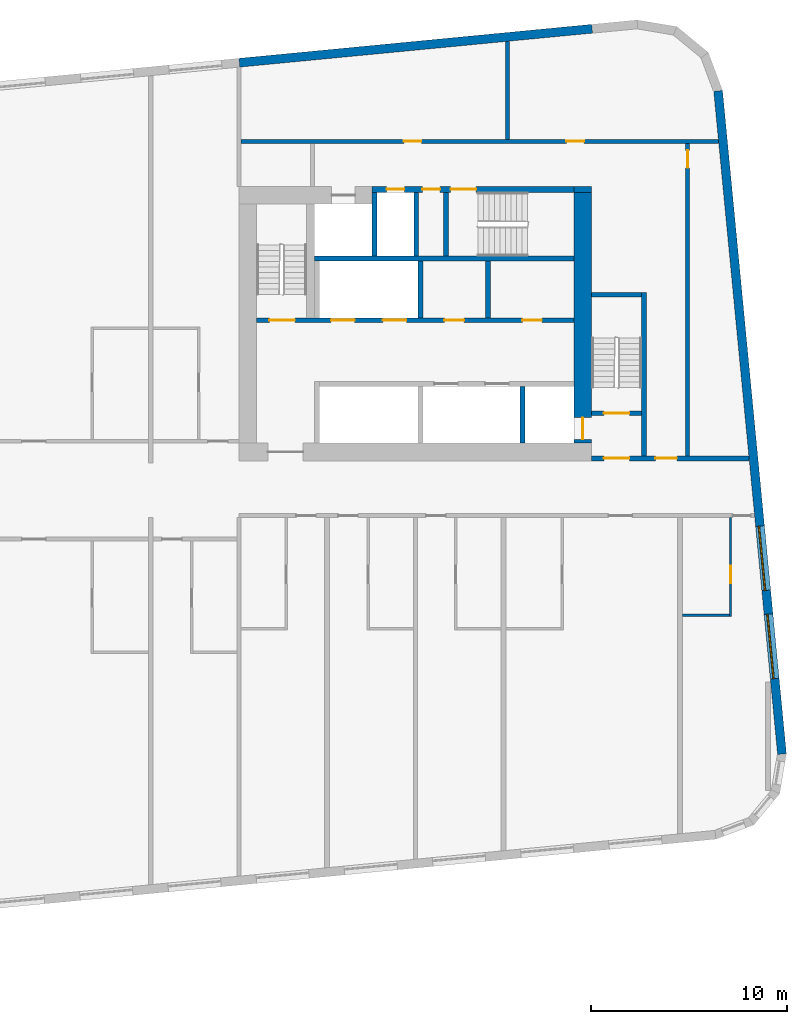
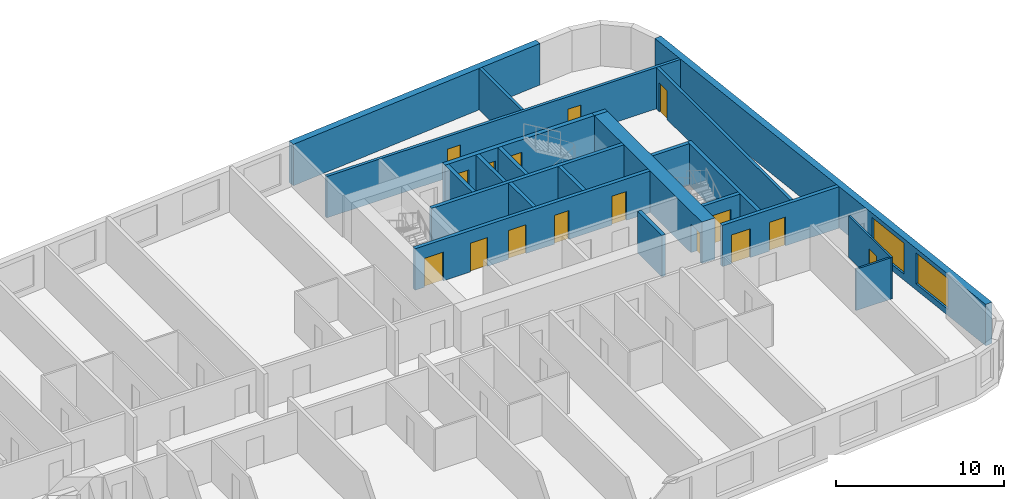
# One storey, part 7 of 12: 22 walls, 16 doors, 2 windows, 18 openings.
"""IFC4 building model written with IfcOpenShell, lengths in metres."""

from ifc_helpers import new_model, si_unit, direction, frame, frame_2d, origin, place, context, subcontext, project, spatial, rectangle, extrude, material, layer, layer_set, type_object, element, fill, save


model = new_model("IFC4")

# Units and contexts
model_context = context("Model", 3, precision=1e-05, world=origin(), true_north=direction((0.0, 1.0)))
body_context = subcontext(model_context, "Body", "Model", "MODEL_VIEW")
ifc_project = project(units=[si_unit("LENGTHUNIT", "METRE"), si_unit("AREAUNIT", "SQUARE_METRE"), si_unit("VOLUMEUNIT", "CUBIC_METRE"), si_unit("PLANEANGLEUNIT", "RADIAN"), si_unit("MASSUNIT", "GRAM", prefix="KILO")], contexts=[model_context])

# Site, building, storey
site_placement = place(None, origin())
site = spatial("IfcSite", under=ifc_project, at=site_placement, CompositionType="ELEMENT")
building_placement = place(site_placement, origin())
building = spatial("IfcBuilding", under=site, at=building_placement, Name="Kajstack Hotel Tower", CompositionType="ELEMENT")
storey_placement = place(building_placement, frame((0.0, 0.0, 170.199951171875)))
storey = spatial("IfcBuildingStorey", under=building, at=storey_placement, Name="L39", CompositionType="ELEMENT", Elevation=170.199951171875)

# Wall
ifc_material_1 = material(Name="Concrete C60/75", Category="concrete")
ifc_layer_1 = layer(ifc_material_1, 0.89990234375)
ifc_layer_set_1 = layer_set([ifc_layer_1], Name="Core wall 900")
wall_type_1 = type_object("IfcWallType", Name="Core wall 900", PredefinedType="SHEAR", material=ifc_layer_set_1)
wall_1_placement = place(storey_placement, frame((30.60009765625, 15.35009765625, 0.0), z_axis=(0.0, 0.0, 1.0), x_axis=(1.0, 0.0, 0.0)))
element("IfcWall", 1, at=wall_1_placement, inside=storey, type_object=wall_type_1, Name="Core wall E RSW", PredefinedType="SHEAR", context=body_context, shape_type="SweptSolid", body=[
    extrude(rectangle(XDim=0.89990234375, YDim=0.300048828125, at=frame_2d((0.449951171875, 0.0))), origin(), (0.0, 0.0, 1.0), 3.02001953125),
])

# Wall, opening, door
wall_2_placement = place(storey_placement, frame((31.050048828125, 2.39990234375, 0.0), z_axis=(0.0, 0.0, 1.0), x_axis=(0.0, 1.0, 0.0)))
wall_2 = element("IfcWall", 2, at=wall_2_placement, inside=storey, type_object=wall_type_1, Name="Core wall E RW", PredefinedType="SHEAR", context=body_context, shape_type="SweptSolid", body=[
    extrude(rectangle(XDim=12.800048828125, YDim=0.89990234375, at=frame_2d((6.39990234375, 0.0))), origin(), (0.0, 0.0, 1.0), 3.02001953125),
])
opening_1_placement = place(wall_2_placement, frame((0.199951171875, 0.0, 0.0)))
opening_1 = element("IfcOpeningElement", 3, at=opening_1_placement, cuts=wall_2, Name="Opening LD-FF2", PredefinedType="OPENING", context=body_context, shape_type="SweptSolid", body=[
    extrude(rectangle(XDim=1.10009765625, YDim=2.10009765625, at=frame_2d((0.550048828125, 1.050048828125))), frame((0.0, 0.4599609375, 0.0), z_axis=(0.0, -1.0, 0.0), x_axis=(1.0, 0.0, 0.0)), (0.0, 0.0, 1.0), 0.919921875),
])
ifc_material_2 = material(Name="Stainless steel", Category="steel")
door_type_1 = type_object("IfcDoorType", Name="Fire-fighting lift landing door 1100", OperationType="SLIDING_TO_LEFT", PredefinedType="DOOR", material=ifc_material_2)
door_1_placement = place(opening_1_placement, origin())
door_1 = element("IfcDoor", 4, at=door_1_placement, inside=storey, type_object=door_type_1, Name="Landing door FF2", OperationType="SLIDING_TO_LEFT", OverallHeight=2.10009765625, OverallWidth=1.10009765625, PredefinedType="DOOR", context=body_context, shape_type="SweptSolid", body=[
    extrude(rectangle(XDim=1.10009765625, YDim=2.10009765625, at=frame_2d((0.550048828125, 1.050048828125))), frame((0.0, 0.02490234375, 0.0), z_axis=(0.0, -1.0, 0.0), x_axis=(1.0, 0.0, 0.0)), (0.0, 0.0, 1.0), 0.050048828125),
])
fill(opening_1, door_1)

# Wall
ifc_material_3 = material(Name="Concrete C40/50", Category="concrete")
ifc_layer_2 = layer(ifc_material_3, 0.449951171875)
ifc_layer_set_2 = layer_set([ifc_layer_2], Name="EW-CORE")
wall_type_2 = type_object("IfcWallType", Name="EW-CORE", PredefinedType="SOLIDWALL", material=ifc_layer_set_2)
wall_3_placement = place(storey_placement, frame((31.521484375, 23.55078125, 0.0), z_axis=(0.0, 0.0, 1.0), x_axis=(-0.995395166513, -0.095856468129, 0.0)))
element("IfcWall", 5, at=wall_3_placement, inside=storey, type_object=wall_type_2, Name="E-wall-L39-12-01", PredefinedType="SOLIDWALL", context=body_context, shape_type="SweptSolid", body=[
    extrude(rectangle(XDim=18.083251953125, YDim=0.449951171875, at=frame_2d((9.04150390625, 0.0))), origin(), (0.0, 0.0, 1.0), 3.02001953125),
])

# Wall, openings, windows
ifc_material_4 = material(Name="Terracotta-faced brick masonry", Category="masonry")
ifc_layer_3 = layer(ifc_material_4, 0.449951171875)
ifc_layer_set_3 = layer_set([ifc_layer_3], Name="EW-TERRA")
wall_type_3 = type_object("IfcWallType", Name="EW-TERRA", PredefinedType="SOLIDWALL", material=ifc_layer_set_3)
wall_4_placement = place(storey_placement, frame((41.21435546875, -13.465576171875, 0.0), z_axis=(0.0, 0.0, 1.0), x_axis=(-0.095847314626, 0.995396047952, 0.0)))
wall_4 = element("IfcWall", 6, at=wall_4_placement, inside=storey, type_object=wall_type_3, Name="E-wall-L39-08-00", PredefinedType="SOLIDWALL", context=body_context, shape_type="SweptSolid", body=[
    extrude(rectangle(XDim=33.999755859375, YDim=0.449951171875, at=frame_2d((17.0, 0.0))), origin(), (0.0, 0.0, 1.0), 3.02001953125),
])
opening_2_placement = place(wall_4_placement, frame((3.869384765625, 0.0, 0.449951171875)))
opening_2 = element("IfcOpeningElement", 7, at=opening_2_placement, cuts=wall_4, Name="Opening W2", PredefinedType="OPENING", context=body_context, shape_type="SweptSolid", body=[
    extrude(rectangle(XDim=3.300048828125, YDim=2.25, at=frame_2d((1.64990234375, 1.125))), frame((0.0, 0.23486328125, 0.0), z_axis=(0.0, -1.0, 0.0), x_axis=(1.0, 0.0, 0.0)), (0.0, 0.0, 1.0), 0.469970703125),
])
opening_3_placement = place(wall_4_placement, frame((8.390380859375, 0.0, 0.449951171875)))
opening_3 = element("IfcOpeningElement", 8, at=opening_3_placement, cuts=wall_4, Name="Opening W2", PredefinedType="OPENING", context=body_context, shape_type="SweptSolid", body=[
    extrude(rectangle(XDim=3.300048828125, YDim=2.25, at=frame_2d((1.64990234375, 1.125))), frame((0.0, 0.23486328125, 0.0), z_axis=(0.0, -1.0, 0.0), x_axis=(1.0, 0.0, 0.0)), (0.0, 0.0, 1.0), 0.469970703125),
])
ifc_material_5 = material(Name="Timber-aluminium window, triple glazed", Category="wood")
window_type = type_object("IfcWindowType", Name="WG2", PartitioningType="SINGLE_PANEL", PredefinedType="WINDOW", material=ifc_material_5)
window_1_placement = place(opening_2_placement, origin())
window_1 = element("IfcWindow", 9, at=window_1_placement, inside=storey, type_object=window_type, Name="Window W2 L39-08", OverallHeight=2.25, OverallWidth=3.300048828125, PartitioningType="SINGLE_PANEL", PredefinedType="WINDOW", context=body_context, shape_type="SweptSolid", body=[
    extrude(rectangle(XDim=3.300048828125, YDim=2.25, at=frame_2d((1.64990234375, 1.125))), frame((0.0, 0.090087890625, 0.0), z_axis=(0.0, -1.0, 0.0), x_axis=(1.0, 0.0, 0.0)), (0.0, 0.0, 1.0), 0.06005859375),
])
fill(opening_2, window_1)
window_2_placement = place(opening_3_placement, origin())
window_2 = element("IfcWindow", 10, at=window_2_placement, inside=storey, type_object=window_type, Name="Window W2 L39-08", OverallHeight=2.25, OverallWidth=3.300048828125, PartitioningType="SINGLE_PANEL", PredefinedType="WINDOW", context=body_context, shape_type="SweptSolid", body=[
    extrude(rectangle(XDim=3.300048828125, YDim=2.25, at=frame_2d((1.64990234375, 1.125))), frame((0.0, 0.090087890625, 0.0), z_axis=(0.0, -1.0, 0.0), x_axis=(1.0, 0.0, 0.0)), (0.0, 0.0, 1.0), 0.06005859375),
])
fill(opening_3, window_2)

# Wall, opening, door
ifc_material_6 = material(Name="Gypsum board and tiled backer on steel studs", Category="steel")
ifc_layer_4 = layer(ifc_material_6, 0.125)
ifc_layer_set_4 = layer_set([ifc_layer_4], Name="En-suite wall 125")
wall_type_4 = type_object("IfcWallType", Name="En-suite wall 125", PredefinedType="PARTITIONING", material=ifc_layer_set_4)
wall_5_placement = place(storey_placement, frame((38.5869140625, -6.445068359375, 0.0), z_axis=(0.0, 0.0, 1.0), x_axis=(0.0, 1.0, 0.0)))
wall_5 = element("IfcWall", 11, at=wall_5_placement, inside=storey, type_object=wall_type_4, Name="G-wall-L39-051", PredefinedType="PARTITIONING", context=body_context, shape_type="SweptSolid", body=[
    extrude(rectangle(XDim=5.045166015625, YDim=0.125, at=frame_2d((2.5224609375, 0.0))), origin(), (0.0, 0.0, 1.0), 3.02001953125),
])
opening_4_placement = place(wall_5_placement, frame((1.695068359375, 0.0, 0.0)))
opening_4 = element("IfcOpeningElement", 12, at=opening_4_placement, cuts=wall_5, Name="Opening 39040", PredefinedType="OPENING", context=body_context, shape_type="SweptSolid", body=[
    extrude(rectangle(XDim=0.89990234375, YDim=2.10009765625, at=frame_2d((0.449951171875, 1.050048828125))), frame((0.0, 0.072509765625, 0.0), z_axis=(0.0, -1.0, 0.0), x_axis=(1.0, 0.0, 0.0)), (0.0, 0.0, 1.0), 0.14501953125),
])
ifc_material_7 = material(Name="Painted timber door leaf", Category="wood")
door_type_2 = type_object("IfcDoorType", Name="Room door 900", OperationType="SINGLE_SWING_LEFT", PredefinedType="DOOR", material=ifc_material_7)
door_2_placement = place(opening_4_placement, origin())
door_2 = element("IfcDoor", 13, at=door_2_placement, inside=storey, type_object=door_type_2, Name="G-door-L39-40", OperationType="SINGLE_SWING_RIGHT", OverallHeight=2.10009765625, OverallWidth=0.89990234375, PredefinedType="DOOR", context=body_context, shape_type="SweptSolid", body=[
    extrude(rectangle(XDim=0.89990234375, YDim=2.10009765625, at=frame_2d((0.449951171875, 1.050048828125))), frame((0.0, 0.02490234375, 0.0), z_axis=(0.0, -1.0, 0.0), x_axis=(1.0, 0.0, 0.0)), (0.0, 0.0, 1.0), 0.050048828125),
])
fill(opening_4, door_2)

# Walls
wall_6_placement = place(storey_placement, frame((36.125, -6.382080078125, 0.0), z_axis=(0.0, 0.0, 1.0), x_axis=(1.0, 0.0, 0.0)))
element("IfcWall", 14, at=wall_6_placement, inside=storey, type_object=wall_type_4, Name="G-wall-L39-052", PredefinedType="PARTITIONING", context=body_context, shape_type="SweptSolid", body=[
    extrude(rectangle(XDim=2.39990234375, YDim=0.125, at=frame_2d((1.199951171875, 0.0))), origin(), (0.0, 0.0, 1.0), 3.02001953125),
])
ifc_material_8 = material(Name="Concrete C50/60", Category="concrete")
ifc_layer_5 = layer(ifc_material_8, 0.300048828125)
ifc_layer_set_5 = layer_set([ifc_layer_5], Name="Hoistway divider wall 300")
wall_type_5 = type_object("IfcWallType", Name="Hoistway divider wall 300", PredefinedType="SHEAR", material=ifc_layer_set_5)
wall_7_placement = place(storey_placement, frame((22.77490234375, 8.800048828125, 0.0), z_axis=(0.0, 0.0, 1.0), x_axis=(0.0, 1.0, 0.0)))
element("IfcWall", 15, at=wall_7_placement, inside=storey, type_object=wall_type_5, Name="Core wall E BP2", PredefinedType="SHEAR", context=body_context, shape_type="SweptSolid", body=[
    extrude(rectangle(XDim=2.89990234375, YDim=0.25, at=frame_2d((1.449951171875, 0.0))), origin(), (0.0, 0.0, 1.0), 3.02001953125),
])
ifc_material_9 = material(Name="Concrete block masonry", Category="masonry")
ifc_layer_6 = layer(ifc_material_9, 0.25)
ifc_layer_set_6 = layer_set([ifc_layer_6], Name="Riser partition 250")
wall_type_6 = type_object("IfcWallType", Name="Riser partition 250", PredefinedType="PARTITIONING", material=ifc_layer_set_6)
wall_8_placement = place(storey_placement, frame((26.199951171875, 8.800048828125, 0.0), z_axis=(0.0, 0.0, 1.0), x_axis=(0.0, 1.0, 0.0)))
element("IfcWall", 16, at=wall_8_placement, inside=storey, type_object=wall_type_6, Name="Partition E BF0", PredefinedType="PARTITIONING", context=body_context, shape_type="SweptSolid", body=[
    extrude(rectangle(XDim=2.89990234375, YDim=0.25, at=frame_2d((1.449951171875, 0.0))), origin(), (0.0, 0.0, 1.0), 3.02001953125),
])
wall_9_placement = place(storey_placement, frame((22.550048828125, 11.949951171875, 0.0), z_axis=(0.0, 0.0, 1.0), x_axis=(0.0, 1.0, 0.0)))
element("IfcWall", 17, at=wall_9_placement, inside=storey, type_object=wall_type_6, Name="Partition E SZ0", PredefinedType="PARTITIONING", context=body_context, shape_type="SweptSolid", body=[
    extrude(rectangle(XDim=3.25, YDim=0.25, at=frame_2d((1.625, 0.0))), origin(), (0.0, 0.0, 1.0), 3.02001953125),
])

# Wall, openings, doors
ifc_material_10 = material(Name="Gypsum board on steel studs, mineral wool", Category="steel")
ifc_layer_7 = layer(ifc_material_10, 0.199951171875)
ifc_layer_set_7 = layer_set([ifc_layer_7], Name="Service partition 200")
wall_type_7 = type_object("IfcWallType", Name="Service partition 200", PredefinedType="PARTITIONING", material=ifc_layer_set_7)
wall_10_placement = place(storey_placement, frame((31.5, 1.625, 0.0), z_axis=(0.0, 0.0, 1.0), x_axis=(1.0, 0.0, 0.0)))
wall_10 = element("IfcWall", 18, at=wall_10_placement, inside=storey, type_object=wall_type_7, Name="Partition E SN", PredefinedType="PARTITIONING", context=body_context, shape_type="SweptSolid", body=[
    extrude(rectangle(XDim=8.035400390625, YDim=0.25, at=frame_2d((4.017578125, 0.0))), origin(), (0.0, 0.0, 1.0), 3.02001953125),
])
opening_5_placement = place(wall_10_placement, frame((0.625, 0.0, 0.0)))
opening_5 = element("IfcOpeningElement", 19, at=opening_5_placement, cuts=wall_10, Name="Opening 39E08", PredefinedType="OPENING", context=body_context, shape_type="SweptSolid", body=[
    extrude(rectangle(XDim=1.300048828125, YDim=2.10009765625, at=frame_2d((0.64990234375, 1.050048828125))), frame((0.0, 0.135009765625, 0.0), z_axis=(0.0, -1.0, 0.0), x_axis=(1.0, 0.0, 0.0)), (0.0, 0.0, 1.0), 0.27001953125),
])
opening_6_placement = place(wall_10_placement, frame((3.25, 0.0, 0.0)))
opening_6 = element("IfcOpeningElement", 20, at=opening_6_placement, cuts=wall_10, Name="Opening 39E10", PredefinedType="OPENING", context=body_context, shape_type="SweptSolid", body=[
    extrude(rectangle(XDim=1.10009765625, YDim=2.10009765625, at=frame_2d((0.550048828125, 1.050048828125))), frame((0.0, 0.135009765625, 0.0), z_axis=(0.0, -1.0, 0.0), x_axis=(1.0, 0.0, 0.0)), (0.0, 0.0, 1.0), 0.27001953125),
])
ifc_material_11 = material(Name="Steel leaf, fire-rated", Category="steel")
door_type_3 = type_object("IfcDoorType", Name="Fire lobby door 1300", OperationType="SINGLE_SWING_LEFT", PredefinedType="DOOR", material=ifc_material_11)
door_3_placement = place(opening_5_placement, origin())
door_3 = element("IfcDoor", 21, at=door_3_placement, inside=storey, type_object=door_type_3, Name="Door 39E08", OperationType="SINGLE_SWING_LEFT", OverallHeight=2.10009765625, OverallWidth=1.300048828125, PredefinedType="DOOR", context=body_context, shape_type="SweptSolid", body=[
    extrude(rectangle(XDim=1.300048828125, YDim=2.10009765625, at=frame_2d((0.64990234375, 1.050048828125))), frame((0.0, 0.02490234375, 0.0), z_axis=(0.0, -1.0, 0.0), x_axis=(1.0, 0.0, 0.0)), (0.0, 0.0, 1.0), 0.050048828125),
])
fill(opening_5, door_3)
ifc_material_12 = material(Name="Timber leaf, fire-rated", Category="wood")
door_type_4 = type_object("IfcDoorType", Name="Service corridor door 1100", OperationType="SINGLE_SWING_LEFT", PredefinedType="DOOR", material=ifc_material_12)
door_4_placement = place(opening_6_placement, origin())
door_4 = element("IfcDoor", 22, at=door_4_placement, inside=storey, type_object=door_type_4, Name="Door 39E10", OperationType="SINGLE_SWING_LEFT", OverallHeight=2.10009765625, OverallWidth=1.10009765625, PredefinedType="DOOR", context=body_context, shape_type="SweptSolid", body=[
    extrude(rectangle(XDim=1.10009765625, YDim=2.10009765625, at=frame_2d((0.550048828125, 1.050048828125))), frame((0.0, 0.02490234375, 0.0), z_axis=(0.0, -1.0, 0.0), x_axis=(1.0, 0.0, 0.0)), (0.0, 0.0, 1.0), 0.050048828125),
])
fill(opening_6, door_4)

# Wall, opening, door
wall_11_placement = place(storey_placement, frame((36.39990234375, 1.75, 0.0), z_axis=(0.0, 0.0, 1.0), x_axis=(0.0, 1.0, 0.0)))
wall_11 = element("IfcWall", 23, at=wall_11_placement, inside=storey, type_object=wall_type_7, Name="Partition E WRE", PredefinedType="PARTITIONING", context=body_context, shape_type="SweptSolid", body=[
    extrude(rectangle(XDim=15.949951171875, YDim=0.199951171875, at=frame_2d((7.97509765625, 0.0))), origin(), (0.0, 0.0, 1.0), 3.02001953125),
])
opening_7_placement = place(wall_11_placement, frame((14.699951171875, 0.0, 0.0)))
opening_7 = element("IfcOpeningElement", 24, at=opening_7_placement, cuts=wall_11, Name="Opening 39E19", PredefinedType="OPENING", context=body_context, shape_type="SweptSolid", body=[
    extrude(rectangle(XDim=0.89990234375, YDim=2.10009765625, at=frame_2d((0.449951171875, 1.050048828125))), frame((0.0, 0.10986328125, 0.0), z_axis=(0.0, -1.0, 0.0), x_axis=(1.0, 0.0, 0.0)), (0.0, 0.0, 1.0), 0.219970703125),
])
door_type_5 = type_object("IfcDoorType", Name="Service door 900", OperationType="SINGLE_SWING_LEFT", PredefinedType="DOOR", material=ifc_material_12)
door_5_placement = place(opening_7_placement, origin())
door_5 = element("IfcDoor", 25, at=door_5_placement, inside=storey, type_object=door_type_5, Name="Door 39E19", OperationType="SINGLE_SWING_RIGHT", OverallHeight=2.10009765625, OverallWidth=0.89990234375, PredefinedType="DOOR", context=body_context, shape_type="SweptSolid", body=[
    extrude(rectangle(XDim=0.89990234375, YDim=2.10009765625, at=frame_2d((0.449951171875, 1.050048828125))), frame((0.0, 0.02490234375, 0.0), z_axis=(0.0, -1.0, 0.0), x_axis=(1.0, 0.0, 0.0)), (0.0, 0.0, 1.0), 0.050048828125),
])
fill(opening_7, door_5)

# Wall, openings, doors
wall_12_placement = place(storey_placement, frame((13.60009765625, 17.800048828125, 0.0), z_axis=(0.0, 0.0, 1.0), x_axis=(1.0, 0.0, 0.0)))
wall_12 = element("IfcWall", 26, at=wall_12_placement, inside=storey, type_object=wall_type_7, Name="Partition E SLN", PredefinedType="PARTITIONING", context=body_context, shape_type="SweptSolid", body=[
    extrude(rectangle(XDim=24.377685546875, YDim=0.199951171875, at=frame_2d((12.18896484375, 0.0))), origin(), (0.0, 0.0, 1.0), 3.02001953125),
])
opening_8_placement = place(wall_12_placement, frame((16.612548828125, 0.0, 0.0)))
opening_8 = element("IfcOpeningElement", 27, at=opening_8_placement, cuts=wall_12, Name="Opening 39E17", PredefinedType="OPENING", context=body_context, shape_type="SweptSolid", body=[
    extrude(rectangle(XDim=0.89990234375, YDim=2.10009765625, at=frame_2d((0.449951171875, 1.050048828125))), frame((0.0, 0.10986328125, 0.0), z_axis=(0.0, -1.0, 0.0), x_axis=(1.0, 0.0, 0.0)), (0.0, 0.0, 1.0), 0.219970703125),
])
opening_9_placement = place(wall_12_placement, frame((8.3125, 0.0, 0.0)))
opening_9 = element("IfcOpeningElement", 28, at=opening_9_placement, cuts=wall_12, Name="Opening 39E18", PredefinedType="OPENING", context=body_context, shape_type="SweptSolid", body=[
    extrude(rectangle(XDim=0.89990234375, YDim=2.10009765625, at=frame_2d((0.449951171875, 1.050048828125))), frame((0.0, 0.10986328125, 0.0), z_axis=(0.0, -1.0, 0.0), x_axis=(1.0, 0.0, 0.0)), (0.0, 0.0, 1.0), 0.219970703125),
])
door_6_placement = place(opening_8_placement, origin())
door_6 = element("IfcDoor", 29, at=door_6_placement, inside=storey, type_object=door_type_5, Name="Door 39E17", OperationType="SINGLE_SWING_LEFT", OverallHeight=2.10009765625, OverallWidth=0.89990234375, PredefinedType="DOOR", context=body_context, shape_type="SweptSolid", body=[
    extrude(rectangle(XDim=0.89990234375, YDim=2.10009765625, at=frame_2d((0.449951171875, 1.050048828125))), frame((0.0, 0.02490234375, 0.0), z_axis=(0.0, -1.0, 0.0), x_axis=(1.0, 0.0, 0.0)), (0.0, 0.0, 1.0), 0.050048828125),
])
fill(opening_8, door_6)
door_7_placement = place(opening_9_placement, origin())
door_7 = element("IfcDoor", 30, at=door_7_placement, inside=storey, type_object=door_type_5, Name="Door 39E18", OperationType="SINGLE_SWING_LEFT", OverallHeight=2.10009765625, OverallWidth=0.89990234375, PredefinedType="DOOR", context=body_context, shape_type="SweptSolid", body=[
    extrude(rectangle(XDim=0.89990234375, YDim=2.10009765625, at=frame_2d((0.449951171875, 1.050048828125))), frame((0.0, 0.02490234375, 0.0), z_axis=(0.0, -1.0, 0.0), x_axis=(1.0, 0.0, 0.0)), (0.0, 0.0, 1.0), 0.050048828125),
])
fill(opening_9, door_7)

# Wall
wall_13_placement = place(storey_placement, frame((27.199951171875, 17.89990234375, 0.0), z_axis=(0.0, 0.0, 1.0), x_axis=(0.0, 1.0, 0.0)))
element("IfcWall", 31, at=wall_13_placement, inside=storey, type_object=wall_type_7, Name="Partition E SLP0", PredefinedType="PARTITIONING", context=body_context, shape_type="SweptSolid", body=[
    extrude(rectangle(XDim=5.009521484375, YDim=0.199951171875, at=frame_2d((2.5048828125, 0.0))), origin(), (0.0, 0.0, 1.0), 3.02001953125),
])

# Wall, openings, doors
ifc_layer_8 = layer(ifc_material_8, 0.25)
ifc_layer_set_8 = layer_set([ifc_layer_8], Name="Shaft wall 250")
wall_type_8 = type_object("IfcWallType", Name="Shaft wall 250", PredefinedType="SHEAR", material=ifc_layer_set_8)
wall_14_placement = place(storey_placement, frame((20.300048828125, 15.35009765625, 0.0), z_axis=(0.0, 0.0, 1.0), x_axis=(1.0, 0.0, 0.0)))
wall_14 = element("IfcWall", 32, at=wall_14_placement, inside=storey, type_object=wall_type_8, Name="Core wall E RSS", PredefinedType="SHEAR", context=body_context, shape_type="SweptSolid", body=[
    extrude(rectangle(XDim=10.300048828125, YDim=0.300048828125, at=frame_2d((5.14990234375, 0.0))), origin(), (0.0, 0.0, 1.0), 3.02001953125),
])
opening_10_placement = place(wall_14_placement, frame((4.0, 0.0, 0.0)))
opening_10 = element("IfcOpeningElement", 33, at=opening_10_placement, cuts=wall_14, Name="Opening 39E12", PredefinedType="OPENING", context=body_context, shape_type="SweptSolid", body=[
    extrude(rectangle(XDim=1.300048828125, YDim=2.10009765625, at=frame_2d((0.64990234375, 1.050048828125))), frame((0.0, 0.159912109375, 0.0), z_axis=(0.0, -1.0, 0.0), x_axis=(1.0, 0.0, 0.0)), (0.0, 0.0, 1.0), 0.320068359375),
])
opening_11_placement = place(wall_14_placement, frame((2.5625, 0.0, 0.0)))
opening_11 = element("IfcOpeningElement", 34, at=opening_11_placement, cuts=wall_14, Name="Opening 39E13", PredefinedType="OPENING", context=body_context, shape_type="SweptSolid", body=[
    extrude(rectangle(XDim=0.89990234375, YDim=2.10009765625, at=frame_2d((0.449951171875, 1.050048828125))), frame((0.0, 0.159912109375, 0.0), z_axis=(0.0, -1.0, 0.0), x_axis=(1.0, 0.0, 0.0)), (0.0, 0.0, 1.0), 0.320068359375),
])
opening_12_placement = place(wall_14_placement, frame((0.737548828125, 0.0, 0.0)))
opening_12 = element("IfcOpeningElement", 35, at=opening_12_placement, cuts=wall_14, Name="Opening 39E14", PredefinedType="OPENING", context=body_context, shape_type="SweptSolid", body=[
    extrude(rectangle(XDim=0.89990234375, YDim=2.10009765625, at=frame_2d((0.449951171875, 1.050048828125))), frame((0.0, 0.159912109375, 0.0), z_axis=(0.0, -1.0, 0.0), x_axis=(1.0, 0.0, 0.0)), (0.0, 0.0, 1.0), 0.320068359375),
])
door_type_6 = type_object("IfcDoorType", Name="Riser door 900", OperationType="SINGLE_SWING_LEFT", PredefinedType="DOOR", material=ifc_material_11)
door_8_placement = place(opening_12_placement, origin())
door_8 = element("IfcDoor", 36, at=door_8_placement, inside=storey, type_object=door_type_6, Name="Door 39E14", OperationType="SINGLE_SWING_RIGHT", OverallHeight=2.10009765625, OverallWidth=0.89990234375, PredefinedType="DOOR", context=body_context, shape_type="SweptSolid", body=[
    extrude(rectangle(XDim=0.89990234375, YDim=2.10009765625, at=frame_2d((0.449951171875, 1.050048828125))), frame((0.0, 0.02490234375, 0.0), z_axis=(0.0, -1.0, 0.0), x_axis=(1.0, 0.0, 0.0)), (0.0, 0.0, 1.0), 0.050048828125),
])
fill(opening_12, door_8)
door_9_placement = place(opening_11_placement, origin())
door_9 = element("IfcDoor", 37, at=door_9_placement, inside=storey, type_object=door_type_5, Name="Door 39E13", OperationType="SINGLE_SWING_RIGHT", OverallHeight=2.10009765625, OverallWidth=0.89990234375, PredefinedType="DOOR", context=body_context, shape_type="SweptSolid", body=[
    extrude(rectangle(XDim=0.89990234375, YDim=2.10009765625, at=frame_2d((0.449951171875, 1.050048828125))), frame((0.0, 0.02490234375, 0.0), z_axis=(0.0, -1.0, 0.0), x_axis=(1.0, 0.0, 0.0)), (0.0, 0.0, 1.0), 0.050048828125),
])
fill(opening_11, door_9)
door_type_7 = type_object("IfcDoorType", Name="Stair door 1300", OperationType="SINGLE_SWING_LEFT", PredefinedType="DOOR", material=ifc_material_11)
door_10_placement = place(opening_10_placement, origin())
door_10 = element("IfcDoor", 38, at=door_10_placement, inside=storey, type_object=door_type_7, Name="Door 39E12", OperationType="SINGLE_SWING_LEFT", OverallHeight=2.10009765625, OverallWidth=1.300048828125, PredefinedType="DOOR", context=body_context, shape_type="SweptSolid", body=[
    extrude(rectangle(XDim=1.300048828125, YDim=2.10009765625, at=frame_2d((0.64990234375, 1.050048828125))), frame((0.0, 0.02490234375, 0.0), z_axis=(0.0, -1.0, 0.0), x_axis=(1.0, 0.0, 0.0)), (0.0, 0.0, 1.0), 0.050048828125),
])
fill(opening_10, door_10)

# Wall
wall_15_placement = place(storey_placement, frame((27.97509765625, 2.39990234375, 0.0), z_axis=(0.0, 0.0, 1.0), x_axis=(0.0, 1.0, 0.0)))
element("IfcWall", 39, at=wall_15_placement, inside=storey, type_object=wall_type_8, Name="Core wall E AP0", PredefinedType="SHEAR", context=body_context, shape_type="SweptSolid", body=[
    extrude(rectangle(XDim=2.900146484375, YDim=0.25, at=frame_2d((1.4501953125, 0.0))), origin(), (0.0, 0.0, 1.0), 3.02001953125),
])

# Wall, openings, doors
wall_16_placement = place(storey_placement, frame((14.39990234375, 8.675048828125, 0.0), z_axis=(0.0, 0.0, 1.0), x_axis=(1.0, 0.0, 0.0)))
wall_16 = element("IfcWall", 40, at=wall_16_placement, inside=storey, type_object=wall_type_8, Name="Core wall E FB", PredefinedType="SHEAR", context=body_context, shape_type="SweptSolid", body=[
    extrude(rectangle(XDim=16.2001953125, YDim=0.25, at=frame_2d((8.10009765625, 0.0))), origin(), (0.0, 0.0, 1.0), 3.02001953125),
])
opening_13_placement = place(wall_16_placement, frame((6.449951171875, 0.0, 0.0)))
opening_13 = element("IfcOpeningElement", 41, at=opening_13_placement, cuts=wall_16, Name="Opening LD-MR5", PredefinedType="OPENING", context=body_context, shape_type="SweptSolid", body=[
    extrude(rectangle(XDim=1.199951171875, YDim=2.10009765625, at=frame_2d((0.60009765625, 1.050048828125))), frame((0.0, 0.135009765625, 0.0), z_axis=(0.0, -1.0, 0.0), x_axis=(1.0, 0.0, 0.0)), (0.0, 0.0, 1.0), 0.27001953125),
])
opening_14_placement = place(wall_16_placement, frame((3.800048828125, 0.0, 0.0)))
opening_14 = element("IfcOpeningElement", 42, at=opening_14_placement, cuts=wall_16, Name="Opening LD-MR6", PredefinedType="OPENING", context=body_context, shape_type="SweptSolid", body=[
    extrude(rectangle(XDim=1.199951171875, YDim=2.10009765625, at=frame_2d((0.60009765625, 1.050048828125))), frame((0.0, 0.135009765625, 0.0), z_axis=(0.0, -1.0, 0.0), x_axis=(1.0, 0.0, 0.0)), (0.0, 0.0, 1.0), 0.27001953125),
])
opening_15_placement = place(wall_16_placement, frame((0.64990234375, 0.0, 0.0)))
opening_15 = element("IfcOpeningElement", 43, at=opening_15_placement, cuts=wall_16, Name="Opening 39E11", PredefinedType="OPENING", context=body_context, shape_type="SweptSolid", body=[
    extrude(rectangle(XDim=1.300048828125, YDim=2.10009765625, at=frame_2d((0.64990234375, 1.050048828125))), frame((0.0, 0.135009765625, 0.0), z_axis=(0.0, -1.0, 0.0), x_axis=(1.0, 0.0, 0.0)), (0.0, 0.0, 1.0), 0.27001953125),
])
opening_16_placement = place(wall_16_placement, frame((13.5625, 0.0, 0.0)))
opening_16 = element("IfcOpeningElement", 44, at=opening_16_placement, cuts=wall_16, Name="Opening 39E15", PredefinedType="OPENING", context=body_context, shape_type="SweptSolid", body=[
    extrude(rectangle(XDim=1.0, YDim=2.10009765625, at=frame_2d((0.5, 1.050048828125))), frame((0.0, 0.135009765625, 0.0), z_axis=(0.0, -1.0, 0.0), x_axis=(1.0, 0.0, 0.0)), (0.0, 0.0, 1.0), 0.27001953125),
])
opening_17_placement = place(wall_16_placement, frame((9.58740234375, 0.0, 0.0)))
opening_17 = element("IfcOpeningElement", 45, at=opening_17_placement, cuts=wall_16, Name="Opening 39E16", PredefinedType="OPENING", context=body_context, shape_type="SweptSolid", body=[
    extrude(rectangle(XDim=1.0, YDim=2.10009765625, at=frame_2d((0.5, 1.050048828125))), frame((0.0, 0.135009765625, 0.0), z_axis=(0.0, -1.0, 0.0), x_axis=(1.0, 0.0, 0.0)), (0.0, 0.0, 1.0), 0.27001953125),
])
door_type_8 = type_object("IfcDoorType", Name="Lift landing door 1200", OperationType="SLIDING_TO_LEFT", PredefinedType="DOOR", material=ifc_material_2)
door_11_placement = place(opening_13_placement, origin())
door_11 = element("IfcDoor", 46, at=door_11_placement, inside=storey, type_object=door_type_8, Name="Landing door MR5", OperationType="SLIDING_TO_LEFT", OverallHeight=2.10009765625, OverallWidth=1.199951171875, PredefinedType="DOOR", context=body_context, shape_type="SweptSolid", body=[
    extrude(rectangle(XDim=1.199951171875, YDim=2.10009765625, at=frame_2d((0.60009765625, 1.050048828125))), frame((0.0, 0.02490234375, 0.0), z_axis=(0.0, -1.0, 0.0), x_axis=(1.0, 0.0, 0.0)), (0.0, 0.0, 1.0), 0.050048828125),
])
fill(opening_13, door_11)
door_12_placement = place(opening_14_placement, origin())
door_12 = element("IfcDoor", 47, at=door_12_placement, inside=storey, type_object=door_type_8, Name="Landing door MR6", OperationType="SLIDING_TO_RIGHT", OverallHeight=2.10009765625, OverallWidth=1.199951171875, PredefinedType="DOOR", context=body_context, shape_type="SweptSolid", body=[
    extrude(rectangle(XDim=1.199951171875, YDim=2.10009765625, at=frame_2d((0.60009765625, 1.050048828125))), frame((0.0, 0.02490234375, 0.0), z_axis=(0.0, -1.0, 0.0), x_axis=(1.0, 0.0, 0.0)), (0.0, 0.0, 1.0), 0.050048828125),
])
fill(opening_14, door_12)
door_type_9 = type_object("IfcDoorType", Name="Service room door 1000", OperationType="SINGLE_SWING_LEFT", PredefinedType="DOOR", material=ifc_material_12)
door_13_placement = place(opening_16_placement, origin())
door_13 = element("IfcDoor", 48, at=door_13_placement, inside=storey, type_object=door_type_9, Name="Door 39E15", OperationType="SINGLE_SWING_LEFT", OverallHeight=2.10009765625, OverallWidth=1.0, PredefinedType="DOOR", context=body_context, shape_type="SweptSolid", body=[
    extrude(rectangle(XDim=1.0, YDim=2.10009765625, at=frame_2d((0.5, 1.050048828125))), frame((0.0, 0.02490234375, 0.0), z_axis=(0.0, -1.0, 0.0), x_axis=(1.0, 0.0, 0.0)), (0.0, 0.0, 1.0), 0.050048828125),
])
fill(opening_16, door_13)
door_14_placement = place(opening_17_placement, origin())
door_14 = element("IfcDoor", 49, at=door_14_placement, inside=storey, type_object=door_type_9, Name="Door 39E16", OperationType="SINGLE_SWING_LEFT", OverallHeight=2.10009765625, OverallWidth=1.0, PredefinedType="DOOR", context=body_context, shape_type="SweptSolid", body=[
    extrude(rectangle(XDim=1.0, YDim=2.10009765625, at=frame_2d((0.5, 1.050048828125))), frame((0.0, 0.02490234375, 0.0), z_axis=(0.0, -1.0, 0.0), x_axis=(1.0, 0.0, 0.0)), (0.0, 0.0, 1.0), 0.050048828125),
])
fill(opening_17, door_14)
door_15_placement = place(opening_15_placement, origin())
door_15 = element("IfcDoor", 50, at=door_15_placement, inside=storey, type_object=door_type_7, Name="Door 39E11", OperationType="SINGLE_SWING_LEFT", OverallHeight=2.10009765625, OverallWidth=1.300048828125, PredefinedType="DOOR", context=body_context, shape_type="SweptSolid", body=[
    extrude(rectangle(XDim=1.300048828125, YDim=2.10009765625, at=frame_2d((0.64990234375, 1.050048828125))), frame((0.0, 0.02490234375, 0.0), z_axis=(0.0, -1.0, 0.0), x_axis=(1.0, 0.0, 0.0)), (0.0, 0.0, 1.0), 0.050048828125),
])
fill(opening_15, door_15)

# Walls
wall_17_placement = place(storey_placement, frame((17.35009765625, 11.824951171875, 0.0), z_axis=(0.0, 0.0, 1.0), x_axis=(1.0, 0.0, 0.0)))
element("IfcWall", 51, at=wall_17_placement, inside=storey, type_object=wall_type_8, Name="Core wall E RB", PredefinedType="SHEAR", context=body_context, shape_type="SweptSolid", body=[
    extrude(rectangle(XDim=13.25, YDim=0.25, at=frame_2d((6.625, 0.0))), origin(), (0.0, 0.0, 1.0), 3.02001953125),
])
wall_18_placement = place(storey_placement, frame((20.425048828125, 11.949951171875, 0.0), z_axis=(0.0, 0.0, 1.0), x_axis=(0.0, 1.0, 0.0)))
element("IfcWall", 52, at=wall_18_placement, inside=storey, type_object=wall_type_8, Name="Core wall E SVW", PredefinedType="SHEAR", context=body_context, shape_type="SweptSolid", body=[
    extrude(rectangle(XDim=3.25, YDim=0.25, at=frame_2d((1.625, 0.0))), origin(), (0.0, 0.0, 1.0), 3.02001953125),
])

# Wall, opening, door
ifc_layer_9 = layer(ifc_material_3, 0.25)
ifc_layer_set_9 = layer_set([ifc_layer_9], Name="Stair enclosure wall 250")
wall_type_9 = type_object("IfcWallType", Name="Stair enclosure wall 250", PredefinedType="SHEAR", material=ifc_layer_set_9)
wall_19_placement = place(storey_placement, frame((31.5, 3.925048828125, 0.0), z_axis=(0.0, 0.0, 1.0), x_axis=(1.0, 0.0, 0.0)))
wall_19 = element("IfcWall", 53, at=wall_19_placement, inside=storey, type_object=wall_type_9, Name="Core wall E W1N", PredefinedType="SHEAR", context=body_context, shape_type="SweptSolid", body=[
    extrude(rectangle(XDim=2.550048828125, YDim=0.25, at=frame_2d((1.27490234375, 0.0))), origin(), (0.0, 0.0, 1.0), 3.02001953125),
])
opening_18_placement = place(wall_19_placement, frame((0.625, 0.0, 0.0)))
opening_18 = element("IfcOpeningElement", 54, at=opening_18_placement, cuts=wall_19, Name="Opening 39E09", PredefinedType="OPENING", context=body_context, shape_type="SweptSolid", body=[
    extrude(rectangle(XDim=1.300048828125, YDim=2.10009765625, at=frame_2d((0.64990234375, 1.050048828125))), frame((0.0, 0.135009765625, 0.0), z_axis=(0.0, -1.0, 0.0), x_axis=(1.0, 0.0, 0.0)), (0.0, 0.0, 1.0), 0.27001953125),
])
door_16_placement = place(opening_18_placement, origin())
door_16 = element("IfcDoor", 55, at=door_16_placement, inside=storey, type_object=door_type_7, Name="Door 39E09", OperationType="SINGLE_SWING_LEFT", OverallHeight=2.10009765625, OverallWidth=1.300048828125, PredefinedType="DOOR", context=body_context, shape_type="SweptSolid", body=[
    extrude(rectangle(XDim=1.300048828125, YDim=2.10009765625, at=frame_2d((0.64990234375, 1.050048828125))), frame((0.0, 0.02490234375, 0.0), z_axis=(0.0, -1.0, 0.0), x_axis=(1.0, 0.0, 0.0)), (0.0, 0.0, 1.0), 0.050048828125),
])
fill(opening_18, door_16)

# Walls
wall_20_placement = place(storey_placement, frame((34.175048828125, 1.75, 0.0), z_axis=(0.0, 0.0, 1.0), x_axis=(0.0, 1.0, 0.0)))
element("IfcWall", 56, at=wall_20_placement, inside=storey, type_object=wall_type_9, Name="Core wall E W1W", PredefinedType="SHEAR", context=body_context, shape_type="SweptSolid", body=[
    extrude(rectangle(XDim=8.35009765625, YDim=0.25, at=frame_2d((4.175048828125, 0.0))), origin(), (0.0, 0.0, 1.0), 3.02001953125),
])
wall_21_placement = place(storey_placement, frame((31.5, 9.97509765625, 0.0), z_axis=(0.0, 0.0, 1.0), x_axis=(1.0, 0.0, 0.0)))
element("IfcWall", 57, at=wall_21_placement, inside=storey, type_object=wall_type_9, Name="Core wall E W1S", PredefinedType="SHEAR", context=body_context, shape_type="SweptSolid", body=[
    extrude(rectangle(XDim=2.550048828125, YDim=0.25, at=frame_2d((1.27490234375, 0.0))), origin(), (0.0, 0.0, 1.0), 3.02001953125),
])
ifc_layer_10 = layer(ifc_material_8, 0.35009765625)
ifc_layer_set_10 = layer_set([ifc_layer_10], Name="Stair enclosure wall 350")
wall_type_10 = type_object("IfcWallType", Name="Stair enclosure wall 350", PredefinedType="SHEAR", material=ifc_layer_set_10)
wall_22_placement = place(storey_placement, frame((24.074951171875, 11.949951171875, 0.0), z_axis=(0.0, 0.0, 1.0), x_axis=(0.0, 1.0, 0.0)))
element("IfcWall", 58, at=wall_22_placement, inside=storey, type_object=wall_type_10, Name="Core wall E W3E", PredefinedType="SHEAR", context=body_context, shape_type="SweptSolid", body=[
    extrude(rectangle(XDim=3.25, YDim=0.25, at=frame_2d((1.625, 0.0))), origin(), (0.0, 0.0, 1.0), 3.02001953125),
])

save(model, "model.ifc")
